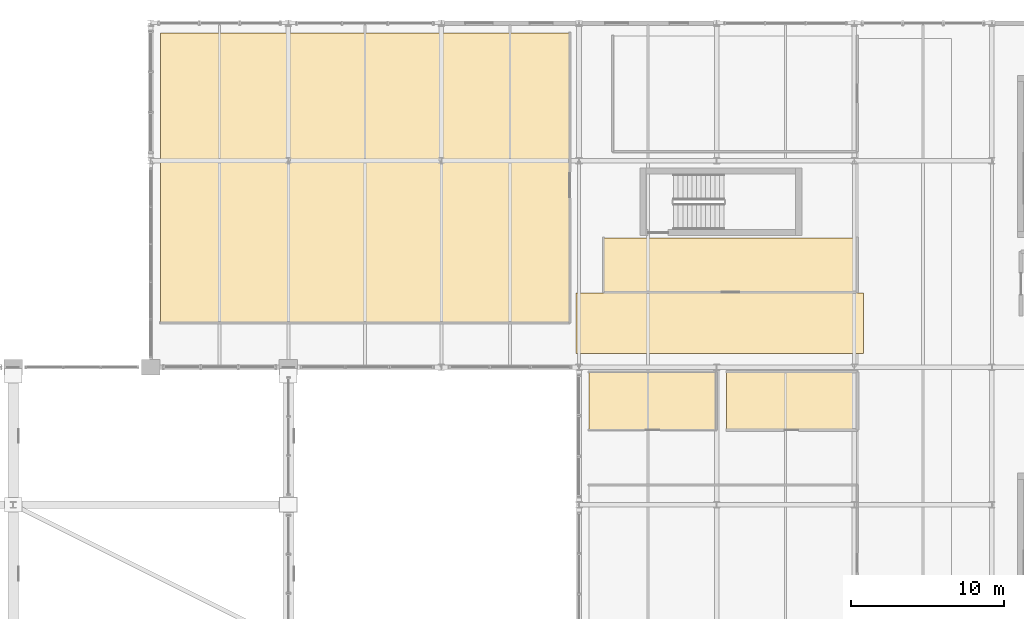
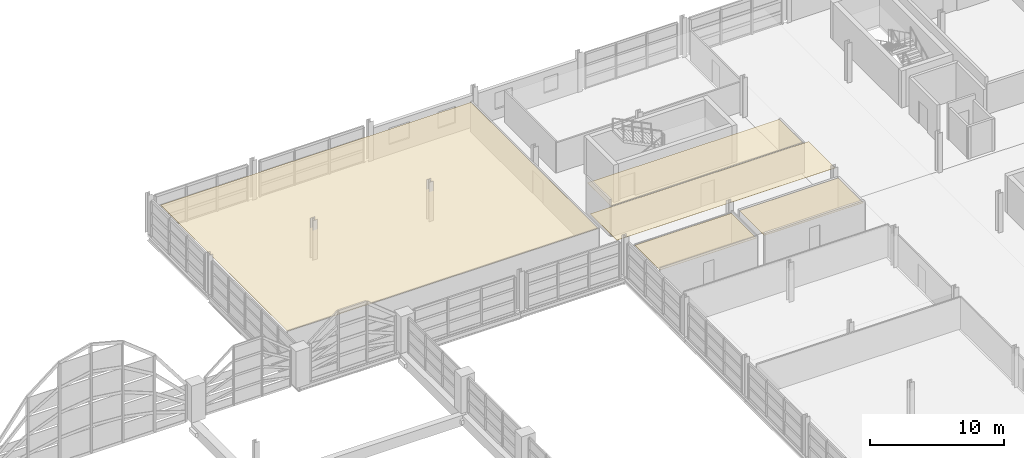
# One storey, part 113 of 116: 5 coverings.
"""IFC4 building model written with IfcOpenShell, lengths in metres."""

import ifcopenshell
import ifcopenshell.guid

model = None  # the IFC model being written
_history = None  # IfcOwnerHistory: only IFC2X3 demands one
_inside = {}  # id of a spatial element -> (the spatial element, [elements in it])
_under = {}  # id of a project, library or spatial element -> (it, [spatial elements below it])
_declared = {}  # id of a project -> (the project, [libraries it declares])
_typed = {}  # id of a type object -> (the type object, [elements of that type])
_made_of = {}  # id of a material, layer set ... -> (it, [elements and type objects made of it])


def new_model(schema):
    """Start an empty IFC model of exactly this schema.

    Asked for "IFC4X3", IfcOpenShell would pick the latest addendum, in which some entities
    have other attributes; the version numbers below select the first issue.
    IFC2X3 requires an IfcOwnerHistory on every rooted entity: one is made here for all.
    """
    global model, _history
    if schema == "IFC4X3":
        model = ifcopenshell.file(schema_version=(4, 3, 0, 0))
    else:
        model = ifcopenshell.file(schema=schema)
    _inside.clear()
    _under.clear()
    _declared.clear()
    _typed.clear()
    _made_of.clear()
    _history = None
    if model.schema == "IFC2X3":
        org = make("IfcOrganization", Name="unknown")
        user = make(
            "IfcPersonAndOrganization",
            ThePerson=make("IfcPerson", FamilyName="unknown"),
            TheOrganization=org,
        )
        app = make(
            "IfcApplication",
            ApplicationDeveloper=org,
            Version="unknown",
            ApplicationFullName="unknown",
            ApplicationIdentifier="unknown",
        )
        _history = make(
            "IfcOwnerHistory",
            OwningUser=user,
            OwningApplication=app,
            ChangeAction="ADDED",
            CreationDate=0,
        )
    return model


def make(cls, **values):
    """One entity of the class cls with the attributes given. An attribute that is None is left unset."""
    return model.create_entity(
        cls, **{name: value for name, value in values.items() if value is not None}
    )


def rooted(cls, **values):
    """An entity with a GlobalId (a new one), such as an element, a storey or a relation."""
    return make(cls, GlobalId=ifcopenshell.guid.new(), OwnerHistory=_history, **values)


def si_unit(unit_type, name, prefix=None):
    """IfcSIUnit, for example si_unit("LENGTHUNIT", "METRE", prefix="MILLI")."""
    return make("IfcSIUnit", UnitType=unit_type, Prefix=prefix, Name=name)


def assignment(units):
    """IfcUnitAssignment: the units of a project."""
    return None if units is None else make("IfcUnitAssignment", Units=units)


def point(xyz):
    """IfcCartesianPoint."""
    return None if xyz is None else make("IfcCartesianPoint", Coordinates=xyz)


def direction(xyz):
    """IfcDirection."""
    return None if xyz is None else make("IfcDirection", DirectionRatios=xyz)


def frame(location, z_axis=None, x_axis=None):
    """IfcAxis2Placement3D, a coordinate frame: its origin and axes. An axis left out is left unset."""
    return make(
        "IfcAxis2Placement3D",
        Location=point(location),
        Axis=direction(z_axis),
        RefDirection=direction(x_axis),
    )


def origin():
    """The frame at (0, 0, 0) with its axes left unset."""
    return frame((0.0, 0.0, 0.0))


def place(relative_to, where):
    """IfcLocalPlacement: puts the frame where relative to a parent placement (None: the world)."""
    return make(
        "IfcLocalPlacement", PlacementRelTo=relative_to, RelativePlacement=where
    )


def context(
    kind, dimensions, precision=None, world=None, true_north=None, identifier=None
):
    """IfcGeometricRepresentationContext, for example the 3D "Model" context."""
    return make(
        "IfcGeometricRepresentationContext",
        ContextIdentifier=identifier,
        ContextType=kind,
        CoordinateSpaceDimension=dimensions,
        Precision=precision,
        WorldCoordinateSystem=world,
        TrueNorth=true_north,
    )


def subcontext(parent, identifier, kind, view, scale=None):
    """IfcGeometricRepresentationSubContext, for example "Body" below "Model"."""
    return make(
        "IfcGeometricRepresentationSubContext",
        ContextIdentifier=identifier,
        ContextType=kind,
        ParentContext=parent,
        TargetScale=scale,
        TargetView=view,
    )


def project(units=None, contexts=None):
    """IfcProject with its units and contexts."""
    return rooted(
        "IfcProject",
        Name="project",
        RepresentationContexts=contexts,
        UnitsInContext=assignment(units),
    )


def spatial(cls, under=None, at=None, **own):
    """A site, building, storey or space (cls), placed at a placement, below another one or the project."""
    s = rooted(cls, ObjectPlacement=at, **own)
    if under is not None:
        _under.setdefault(under.id(), (under, []))[1].append(s)
    return s


def polyline(points):
    """IfcPolyline through the points."""
    return make("IfcPolyline", Points=[point(p) for p in points])


def outline(outer, holes=None, kind="AREA"):
    """IfcArbitraryClosedProfileDef: a profile drawn as a closed curve; with holes, ...WithVoids."""
    if holes is None:
        return make("IfcArbitraryClosedProfileDef", ProfileType=kind, OuterCurve=outer)
    return make(
        "IfcArbitraryProfileDefWithVoids",
        ProfileType=kind,
        OuterCurve=outer,
        InnerCurves=holes,
    )


def extrude(swept, where, along, depth):
    """IfcExtrudedAreaSolid: the profile swept, set in the frame where, extruded along a direction by depth."""
    return make(
        "IfcExtrudedAreaSolid",
        SweptArea=swept,
        Position=where,
        ExtrudedDirection=direction(along),
        Depth=depth,
    )


def shape(context_of_items, identifier, shape_type, items):
    """IfcShapeRepresentation: the items that make up one representation, for example the "Body"."""
    return make(
        "IfcShapeRepresentation",
        ContextOfItems=context_of_items,
        RepresentationIdentifier=identifier,
        RepresentationType=shape_type,
        Items=items,
    )


def material(Name=None, Category=None):
    """IfcMaterial."""
    return make("IfcMaterial", Name=Name, Category=Category)


def layer(
    of_material, thickness, ventilated=None, Name=None, Category=None, Priority=None
):
    """IfcMaterialLayer: one layer of a wall or slab, of a material (None: an air gap)."""
    return make(
        "IfcMaterialLayer",
        Material=of_material,
        LayerThickness=thickness,
        IsVentilated=ventilated,
        Name=Name,
        Category=Category,
        Priority=Priority,
    )


def layer_set(layers, Name=None):
    """IfcMaterialLayerSet."""
    return make("IfcMaterialLayerSet", MaterialLayers=layers, LayerSetName=Name)


def made_of(thing, what):
    """Note that an element or type object is made of a material, layer set ...; save() writes the relation."""
    if what is not None:
        _made_of.setdefault(what.id(), (what, []))[1].append(thing)
    return thing


def type_object(cls, material=None, **own):
    """A type object (cls), such as IfcWallType, which elements share."""
    return made_of(rooted(cls, **own), material)


def element(
    cls,
    number,
    at=None,
    inside=None,
    cuts=None,
    type_object=None,
    material=None,
    context=None,
    identifier="Body",
    shape_type=None,
    held_by="IfcProductDefinitionShape",
    body=None,
    shapes=None,
    **own,
):
    """One element of the class cls, such as IfcWall. Its Tag is "e" and its number.

    at: its placement. inside: the storey or other place that contains it. cuts: it is an
    opening in that element (IfcRelVoidsElement). A single representation is given by context,
    identifier, shape_type and body (its items); several are given by shapes. held_by: the class
    of the entity that holds the representations. save() writes the other relations.
    """
    e = rooted(cls, Tag="e%d" % number, ObjectPlacement=at, **own)
    if body is not None:
        shapes = [shape(context, identifier, shape_type, body)]
    if shapes is not None:
        e.Representation = make(held_by, Representations=shapes)
    if inside is not None:
        _inside.setdefault(inside.id(), (inside, []))[1].append(e)
    if cuts is not None:
        rooted(
            "IfcRelVoidsElement", RelatingBuildingElement=cuts, RelatedOpeningElement=e
        )
    if type_object is not None:
        _typed.setdefault(type_object.id(), (type_object, []))[1].append(e)
    return made_of(e, material)


def aggregate(whole, parts):
    """IfcRelAggregates: a whole, such as a stair, and the parts it consists of."""
    return rooted("IfcRelAggregates", RelatingObject=whole, RelatedObjects=parts)


def save(model, path):
    """Write the relations noted so far, then the file.

    IfcRelAggregates (storeys below a building ...), IfcRelContainedInSpatialStructure (elements
    in a storey), IfcRelDefinesByType, IfcRelAssociatesMaterial and IfcRelDeclares: one each for
    every whole, place, type object, material and project.
    """
    for whole, parts in _under.values():
        aggregate(whole, parts)
    for where, things in _inside.values():
        rooted(
            "IfcRelContainedInSpatialStructure",
            RelatedElements=things,
            RelatingStructure=where,
        )
    for kind, things in _typed.values():
        rooted("IfcRelDefinesByType", RelatedObjects=things, RelatingType=kind)
    for what, things in _made_of.values():
        rooted("IfcRelAssociatesMaterial", RelatedObjects=things, RelatingMaterial=what)
    for by, libraries in _declared.values():
        rooted("IfcRelDeclares", RelatingContext=by, RelatedDefinitions=libraries)
    model.write(path)


model = new_model("IFC4")

# Units and contexts
model_context = context("Model", 3, precision=1e-05, world=origin(), true_north=direction((0.0, 1.0)))
body_context = subcontext(model_context, "Body", "Model", "MODEL_VIEW")
ifc_project = project(units=[si_unit("LENGTHUNIT", "METRE"), si_unit("AREAUNIT", "SQUARE_METRE"), si_unit("VOLUMEUNIT", "CUBIC_METRE"), si_unit("PLANEANGLEUNIT", "RADIAN"), si_unit("MASSUNIT", "GRAM", prefix="KILO")], contexts=[model_context])

# Site, building, storey
site_placement = place(None, origin())
site = spatial("IfcSite", under=ifc_project, at=site_placement, CompositionType="ELEMENT")
building_placement = place(site_placement, origin())
building = spatial("IfcBuilding", under=site, at=building_placement, Name="Chuanluo Vaults Station", CompositionType="ELEMENT")
storey_placement = place(building_placement, frame((0.0, 0.0, 10.800048828125)))
storey = spatial("IfcBuildingStorey", under=building, at=storey_placement, Name="L02", CompositionType="ELEMENT", Elevation=10.800048828125)

# Coverings
ifc_material = material(Name="Acoustic mineral-fibre tile")
ifc_layer = layer(ifc_material, 0.02490234375)
ifc_layer_set = layer_set([ifc_layer], Name="Acoustic mineral-fibre tile")
covering_type = type_object("IfcCoveringType", Name="COV-CEIL-TILE", PredefinedType="CEILING", material=ifc_layer_set)
covering_1_placement = place(storey_placement, frame((0.0, 0.0, 2.675048828125)))
element("IfcCovering", 1, at=covering_1_placement, inside=storey, type_object=covering_type, Name="L02-10 suspended acoustic ceiling", PredefinedType="CEILING", context=body_context, shape_type="SweptSolid", body=[
    extrude(outline(polyline([(117.639892578125, 106.43994140625), (144.360107421875, 106.43994140625), (144.360107421875, 125.360107421875), (117.639892578125, 125.360107421875), (117.639892578125, 106.43994140625)])), origin(), (0.0, 0.0, 1.0), 0.02490234375),
])
covering_2_placement = place(storey_placement, frame((0.0, 0.0, 2.675048828125)))
element("IfcCovering", 2, at=covering_2_placement, inside=storey, type_object=covering_type, Name="L02-13 suspended acoustic ceiling", PredefinedType="CEILING", context=body_context, shape_type="SweptSolid", body=[
    extrude(outline(polyline([(145.639892578125, 99.43994140625), (153.9599609375, 99.43994140625), (153.9599609375, 103.159912109375), (145.639892578125, 103.159912109375), (145.639892578125, 99.43994140625)])), origin(), (0.0, 0.0, 1.0), 0.02490234375),
])
covering_3_placement = place(storey_placement, frame((0.0, 0.0, 2.675048828125)))
element("IfcCovering", 3, at=covering_3_placement, inside=storey, type_object=covering_type, Name="L02-14 suspended acoustic ceiling", PredefinedType="CEILING", context=body_context, shape_type="SweptSolid", body=[
    extrude(outline(polyline([(154.639892578125, 99.43994140625), (163.159912109375, 99.43994140625), (163.159912109375, 103.159912109375), (154.639892578125, 103.159912109375), (154.639892578125, 99.43994140625)])), origin(), (0.0, 0.0, 1.0), 0.02490234375),
])
covering_4_placement = place(storey_placement, frame((0.0, 0.0, 2.675048828125)))
element("IfcCovering", 4, at=covering_4_placement, inside=storey, type_object=covering_type, Name="L02-17 suspended acoustic ceiling", PredefinedType="CEILING", context=body_context, shape_type="SweptSolid", body=[
    extrude(outline(polyline([(144.800048828125, 104.39990234375), (163.60009765625, 104.39990234375), (163.60009765625, 108.360107421875), (144.800048828125, 108.360107421875), (144.800048828125, 104.39990234375)])), origin(), (0.0, 0.0, 1.0), 0.02490234375),
])
covering_5_placement = place(storey_placement, frame((0.0, 0.0, 2.675048828125)))
element("IfcCovering", 5, at=covering_5_placement, inside=storey, type_object=covering_type, Name="L02-18 suspended acoustic ceiling", PredefinedType="CEILING", context=body_context, shape_type="SweptSolid", body=[
    extrude(outline(polyline([(146.639892578125, 108.43994140625), (163.159912109375, 108.43994140625), (163.159912109375, 111.9599609375), (146.639892578125, 111.9599609375), (146.639892578125, 108.43994140625)])), origin(), (0.0, 0.0, 1.0), 0.02490234375),
])

save(model, "model.ifc")
